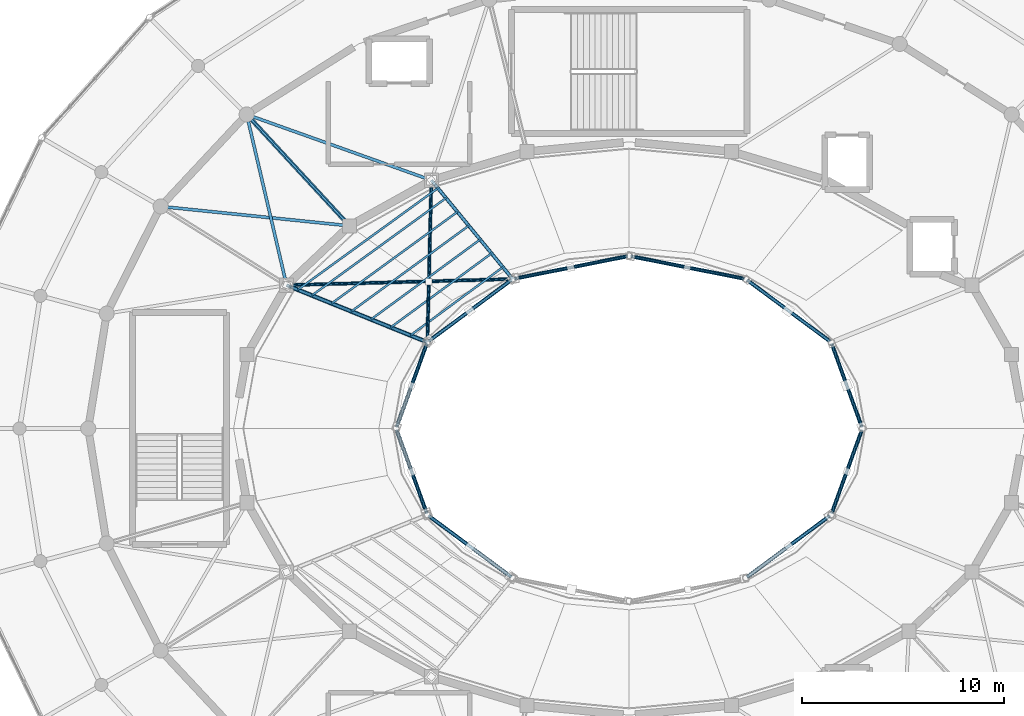
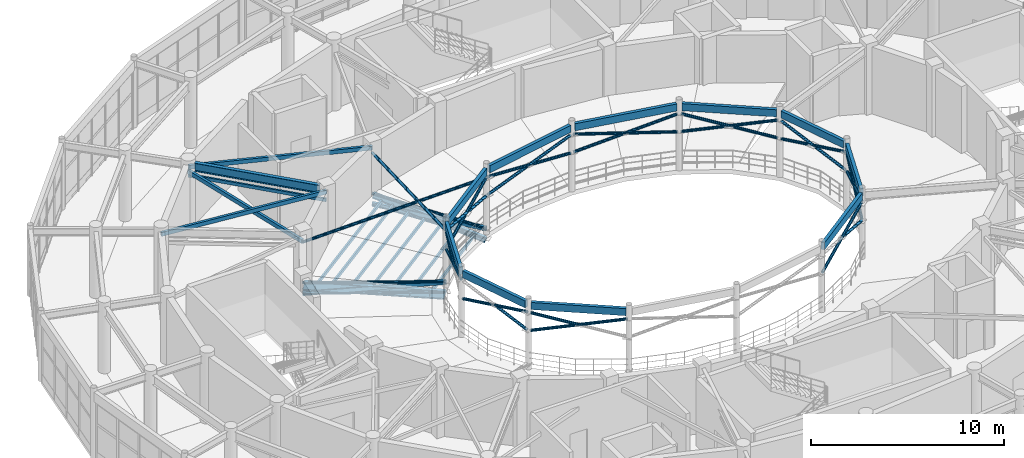
# One storey, part 45 of 112: 46 members, 13 beams.
"""IFC4 building model written with IfcOpenShell, lengths in metres."""

from ifc_helpers import new_model, si_unit, direction, frame, origin, origin_2d, place, context, subcontext, project, spatial, rectangle, hollow_rectangle, hollow_circle, i_section, extrude, material, material_profile, profile_set, type_object, element, save


model = new_model("IFC4")

# Units and contexts
model_context = context("Model", 3, precision=1e-05, world=origin(), true_north=direction((0.0, 1.0)))
body_context = subcontext(model_context, "Body", "Model", "MODEL_VIEW")
ifc_project = project(units=[si_unit("LENGTHUNIT", "METRE"), si_unit("AREAUNIT", "SQUARE_METRE"), si_unit("VOLUMEUNIT", "CUBIC_METRE"), si_unit("PLANEANGLEUNIT", "RADIAN"), si_unit("MASSUNIT", "GRAM", prefix="KILO")], contexts=[model_context])

# Site, building, storey
site_placement = place(None, origin())
site = spatial("IfcSite", under=ifc_project, at=site_placement, CompositionType="ELEMENT")
building_placement = place(site_placement, origin())
building = spatial("IfcBuilding", under=site, at=building_placement, Name="Cinderbank Siding Concert Hall", CompositionType="ELEMENT")
storey_placement = place(building_placement, frame((0.0, 0.0, 10.199951171875)))
storey = spatial("IfcBuildingStorey", under=building, at=storey_placement, Name="L03", CompositionType="ELEMENT", Elevation=10.199951171875)

# Beams
ifc_material_1 = material(Name="Structural steel AS/NZS 3679.1 Grade 350 (340 MPa)", Category="steel")
ifc_material_profile_1 = material_profile(ifc_material_1, i_section(OverallWidth=0.208984375, OverallDepth=0.532958984375, WebThickness=0.01025390625, FlangeThickness=0.015625, at=origin_2d()), Name="530UB92.4", Category="LoadBearing")
ifc_profile_set_1 = profile_set([ifc_material_profile_1], Name="Structural steel AS/NZS 3679.1 Grade 350 (340 MPa)")
beam_type_1 = type_object("IfcBeamType", Name="BM-UB530H 530UB92.4", PredefinedType="BEAM", material=ifc_profile_set_1)
beam_1_placement = place(storey_placement, frame((111.951171875, 48.293701171875, -0.50146484375), z_axis=(-0.912895387141, 0.369940358119, 0.172528674635), x_axis=(-0.375572253485, -0.926793117374, 0.0)))
element("IfcBeam", 1, at=beam_1_placement, inside=storey, type_object=beam_type_1, Name="L03 Beam BM-UB530H #105", PredefinedType="BEAM", context=body_context, shape_type="SweptSolid", body=[
    extrude(i_section(OverallWidth=0.208984375, OverallDepth=0.532958984375, WebThickness=0.01025390625, FlangeThickness=0.015625, at=origin_2d()), origin(), (0.0, 0.0, 1.0), 7.53515625),
])
beam_2_placement = place(storey_placement, frame((107.90869140625, 54.292236328125, 3.985595703125), z_axis=(-0.67829203735, 0.734792427879, 0.0), x_axis=(-0.734792427879, -0.67829203735, 0.0)))
element("IfcBeam", 2, at=beam_2_placement, inside=storey, type_object=beam_type_1, Name="L03 Beam BM-UB530H #595", PredefinedType="BEAM", context=body_context, shape_type="SweptSolid", body=[
    extrude(i_section(OverallWidth=0.208984375, OverallDepth=0.532958984375, WebThickness=0.01025390625, FlangeThickness=0.015625, at=origin_2d()), origin(), (0.0, 0.0, 1.0), 6.797119140625),
])

# Members
ifc_material_2 = material(Name="Structural steel hollow section AS/NZS 1163 Grade C350L0 (350 MPa)", Category="steel")
ifc_material_profile_2 = material_profile(ifc_material_2, hollow_circle(Radius=0.084228515625, WallThickness=0.007080078125, at=origin_2d()), Name="168.3x7.1CHS", Category="LoadBearing")
ifc_profile_set_2 = profile_set([ifc_material_profile_2], Name="Structural steel hollow section AS/NZS 1163 Grade C350L0 (350 MPa)")
member_type_1 = type_object("IfcMemberType", Name="BR-CHS168 168.3x7.1CHS Roof Truss", PredefinedType="BRACE", material=ifc_profile_set_2)
member_1_placement = place(storey_placement, frame((116.22509765625, 51.404541015625, 0.300048828125), z_axis=(-0.631768152068, 0.767992800615, 0.10514780186), x_axis=(-0.772273819235, -0.635289814277, 0.0)))
element("IfcMember", 3, at=member_1_placement, inside=storey, type_object=member_type_1, Name="L03 Diagonal Brace BR-CHS168 #RKDG-BR-CHS168-L03-1945", PredefinedType="BRACE", context=body_context, shape_type="SweptSolid", body=[
    extrude(hollow_circle(Radius=0.084228515625, WallThickness=0.007080078125, at=origin_2d()), origin(), (0.0, 0.0, 1.0), 6.371337890625),
])
member_2_placement = place(storey_placement, frame((112.199951171875, 56.297607421875, 0.300048828125), z_axis=(0.632173529582, -0.768485587425, -0.0989268943), x_axis=(0.772273819235, 0.635289814277, 0.0)))
element("IfcMember", 4, at=member_2_placement, inside=storey, type_object=member_type_1, Name="L03 Diagonal Brace BR-CHS168 #RKDG-BR-CHS168-L03-1946", PredefinedType="BRACE", context=body_context, shape_type="SweptSolid", body=[
    extrude(hollow_circle(Radius=0.084228515625, WallThickness=0.007080078125, at=origin_2d()), origin(), (0.0, 0.0, 1.0), 6.3671875),
])
member_3_placement = place(storey_placement, frame((111.997314453125, 48.27490234375, 0.300048828125), z_axis=(-0.923134660568, 0.374103109511, 0.088708860396), x_axis=(-0.375583811967, -0.926788433349, 0.0)))
element("IfcMember", 5, at=member_3_placement, inside=storey, type_object=member_type_1, Name="L03 Diagonal Brace BR-CHS168 #RKDG-BR-CHS168-L03-1948", PredefinedType="BRACE", context=body_context, shape_type="SweptSolid", body=[
    extrude(hollow_circle(Radius=0.084228515625, WallThickness=0.007080078125, at=origin_2d()), origin(), (0.0, 0.0, 1.0), 7.552001953125),
])
member_4_placement = place(storey_placement, frame((105.02587890625, 51.10009765625, 0.300048828125), z_axis=(0.923556143602, -0.374273916784, -0.0834451007), x_axis=(0.375583811967, 0.926788433349, 0.0)))
element("IfcMember", 6, at=member_4_placement, inside=storey, type_object=member_type_1, Name="L03 Diagonal Brace BR-CHS168 #RKDG-BR-CHS168-L03-1949", PredefinedType="BRACE", context=body_context, shape_type="SweptSolid", body=[
    extrude(hollow_circle(Radius=0.084228515625, WallThickness=0.007080078125, at=origin_2d()), origin(), (0.0, 0.0, 1.0), 7.548583984375),
])
member_5_placement = place(storey_placement, frame((133.522705078125, 44.0751953125, 2.400146484375), z_axis=(-0.329411541196, 0.910070086175, 0.251516350914), x_axis=(-0.940297792876, -0.340352847368, 0.0)))
element("IfcMember", 7, at=member_5_placement, inside=storey, type_object=member_type_1, Name="L03 Diagonal Brace BR-CHS168 #RKCR-BR-CHS168-L03-2072", PredefinedType="BRACE", context=body_context, shape_type="SweptSolid", body=[
    extrude(hollow_circle(Radius=0.084228515625, WallThickness=0.007080078125, at=origin_2d()), origin(), (0.0, 0.0, 1.0), 4.531982421875),
])
for number, where, z_axis, x_axis, name in (
    (8, (132.02978515625, 48.19970703125, 2.400146484375), (0.329486189755, -0.910045628123, 0.25150706848), (0.94027017902, 0.340429126905, 0.0), "L03 Diagonal Brace BR-CHS168 #RKCR-BR-CHS168-L03-2073"),
    (9, (132.78125, 46.123779296875, 2.973876953125), (0.329389503602, -0.91007814446, 0.25151605494), (0.94030604409, 0.340330050757, 0.0), "L03 Diagonal Brace BR-CHS168 #RKCR-BR-CHS168-L03-2073-S190"),
):
    element("IfcMember", number, at=place(storey_placement, frame(where, z_axis=z_axis, x_axis=x_axis)), inside=storey, type_object=member_type_1, Name=name, PredefinedType="BRACE", context=body_context, shape_type="SweptSolid", body=[
        extrude(hollow_circle(Radius=0.084228515625, WallThickness=0.007080078125, at=origin_2d()), origin(), (0.0, 0.0, 1.0), 2.2509765625),
    ])
member_6_placement = place(storey_placement, frame((131.938232421875, 48.322509765625, 2.400146484375), z_axis=(-0.784369910815, 0.580673871078, 0.218132295765), x_axis=(-0.595001989932, -0.803724226322, 0.0)))
element("IfcMember", 10, at=member_6_placement, inside=storey, type_object=member_type_1, Name="L03 Diagonal Brace BR-CHS168 #RKCR-BR-CHS168-L03-2074", PredefinedType="BRACE", context=body_context, shape_type="SweptSolid", body=[
    extrude(hollow_circle(Radius=0.084228515625, WallThickness=0.007080078125, at=origin_2d()), origin(), (0.0, 0.0, 1.0), 5.2255859375),
])
for number, where, z_axis, x_axis, name in (
    (11, (127.83935546875, 51.35693359375, 2.400146484375), (0.784352777564, -0.580699234671, 0.218126383504), (0.595027173666, 0.803705582038, 0.0), "L03 Diagonal Brace BR-CHS168 #RKCR-BR-CHS168-L03-2075"),
    (12, (129.900634765625, 49.8310546875, 2.973388671875), (0.784352777564, -0.580699234671, 0.218126383504), (0.595027173666, 0.803705582038, 0.0), "L03 Diagonal Brace BR-CHS168 #RKCR-BR-CHS168-L03-2075-S191"),
):
    element("IfcMember", number, at=place(storey_placement, frame(where, z_axis=z_axis, x_axis=x_axis)), inside=storey, type_object=member_type_1, Name=name, PredefinedType="BRACE", context=body_context, shape_type="SweptSolid", body=[
        extrude(hollow_circle(Radius=0.084228515625, WallThickness=0.007080078125, at=origin_2d()), origin(), (0.0, 0.0, 1.0), 2.597900390625),
    ])
member_7_placement = place(storey_placement, frame((127.696533203125, 51.420166015625, 2.400146484375), z_axis=(-0.962024071577, 0.190807781612, 0.195197531189), x_axis=(-0.194550158365, -0.980892571019, 0.0)))
element("IfcMember", 13, at=member_7_placement, inside=storey, type_object=member_type_1, Name="L03 Diagonal Brace BR-CHS168 #RKCR-BR-CHS168-L03-2076", PredefinedType="BRACE", context=body_context, shape_type="SweptSolid", body=[
    extrude(hollow_circle(Radius=0.084228515625, WallThickness=0.007080078125, at=origin_2d()), origin(), (0.0, 0.0, 1.0), 5.839599609375),
])
member_8_placement = place(storey_placement, frame((122.07861328125, 52.534423828125, 2.400146484375), z_axis=(0.962018451096, -0.1908740086, 0.195160479071), x_axis=(0.194616221116, 0.980879465826, 0.0)))
element("IfcMember", 14, at=member_8_placement, inside=storey, type_object=member_type_1, Name="L03 Diagonal Brace BR-CHS168 #RKCR-BR-CHS168-L03-2077", PredefinedType="BRACE", context=body_context, shape_type="SweptSolid", body=[
    extrude(hollow_circle(Radius=0.084228515625, WallThickness=0.007080078125, at=origin_2d()), origin(), (0.0, 0.0, 1.0), 2.90478515625),
])
member_9_placement = place(storey_placement, frame((124.90185546875, 51.974365234375, 2.972900390625), z_axis=(0.96202436034, -0.190774464748, 0.195228670313), x_axis=(0.194517417313, 0.980899064309, 0.0)))
element("IfcMember", 15, at=member_9_placement, inside=storey, type_object=member_type_1, Name="L03 Diagonal Brace BR-CHS168 #RKCR-BR-CHS168-L03-2077-S192", PredefinedType="BRACE", context=body_context, shape_type="SweptSolid", body=[
    extrude(hollow_circle(Radius=0.084228515625, WallThickness=0.007080078125, at=origin_2d()), origin(), (0.0, 0.0, 1.0), 2.905029296875),
])
member_10_placement = place(storey_placement, frame((121.92138671875, 52.534423828125, 2.400146484375), z_axis=(-0.962024071577, -0.190807781612, 0.195197531189), x_axis=(0.194550158365, -0.980892571019, 0.0)))
element("IfcMember", 16, at=member_10_placement, inside=storey, type_object=member_type_1, Name="L03 Diagonal Brace BR-CHS168 #RKCR-BR-CHS168-L03-2078", PredefinedType="BRACE", context=body_context, shape_type="SweptSolid", body=[
    extrude(hollow_circle(Radius=0.084228515625, WallThickness=0.007080078125, at=origin_2d()), origin(), (0.0, 0.0, 1.0), 5.839599609375),
])
member_11_placement = place(storey_placement, frame((116.303466796875, 51.420166015625, 2.400146484375), z_axis=(0.962040141585, 0.190777594252, 0.195147829891), x_axis=(-0.194517417313, 0.980899064309, 0.0)))
element("IfcMember", 17, at=member_11_placement, inside=storey, type_object=member_type_1, Name="L03 Diagonal Brace BR-CHS168 #RKCR-BR-CHS168-L03-2079", PredefinedType="BRACE", context=body_context, shape_type="SweptSolid", body=[
    extrude(hollow_circle(Radius=0.084228515625, WallThickness=0.007080078125, at=origin_2d()), origin(), (0.0, 0.0, 1.0), 2.905029296875),
])
member_12_placement = place(storey_placement, frame((119.126953125, 51.97998046875, 2.972900390625), z_axis=(0.962002668162, 0.190870877109, 0.195241324318), x_axis=(-0.194616221116, 0.980879465826, 0.0)))
element("IfcMember", 18, at=member_12_placement, inside=storey, type_object=member_type_1, Name="L03 Diagonal Brace BR-CHS168 #RKCR-BR-CHS168-L03-2079-S193", PredefinedType="BRACE", context=body_context, shape_type="SweptSolid", body=[
    extrude(hollow_circle(Radius=0.084228515625, WallThickness=0.007080078125, at=origin_2d()), origin(), (0.0, 0.0, 1.0), 2.90478515625),
])
member_13_placement = place(storey_placement, frame((116.16064453125, 51.35693359375, 2.400146484375), z_axis=(-0.784369910815, -0.580673871078, 0.218132295765), x_axis=(0.595001989932, -0.803724226322, 0.0)))
element("IfcMember", 19, at=member_13_placement, inside=storey, type_object=member_type_1, Name="L03 Diagonal Brace BR-CHS168 #RKCR-BR-CHS168-L03-2080", PredefinedType="BRACE", context=body_context, shape_type="SweptSolid", body=[
    extrude(hollow_circle(Radius=0.084228515625, WallThickness=0.007080078125, at=origin_2d()), origin(), (0.0, 0.0, 1.0), 5.2255859375),
])
for number, where, z_axis, x_axis, name in (
    (20, (112.061767578125, 48.322509765625, 2.400146484375), (0.784352777564, 0.580699234671, 0.218126383504), (-0.595027173666, 0.803705582038, 0.0), "L03 Diagonal Brace BR-CHS168 #RKCR-BR-CHS168-L03-2081"),
    (21, (114.123046875, 49.848388671875, 2.973388671875), (0.784352777564, 0.580699234671, 0.218126383504), (-0.595027173666, 0.803705582038, 0.0), "L03 Diagonal Brace BR-CHS168 #RKCR-BR-CHS168-L03-2081-S194"),
):
    element("IfcMember", number, at=place(storey_placement, frame(where, z_axis=z_axis, x_axis=x_axis)), inside=storey, type_object=member_type_1, Name=name, PredefinedType="BRACE", context=body_context, shape_type="SweptSolid", body=[
        extrude(hollow_circle(Radius=0.084228515625, WallThickness=0.007080078125, at=origin_2d()), origin(), (0.0, 0.0, 1.0), 2.597900390625),
    ])
member_14_placement = place(storey_placement, frame((116.22509765625, 51.404541015625, 3.5400390625), z_axis=(-0.999630710519, -0.02717430014, 0.0), x_axis=(0.02717430014, -0.999630710519, 0.0)))
element("IfcMember", 22, at=member_14_placement, inside=storey, type_object=member_type_1, Name="L03 Diagonal Brace BR-CHS168 #RKHN-BR-CHS168-L03-2082", PredefinedType="BRACE", context=body_context, shape_type="SweptSolid", body=[
    extrude(hollow_circle(Radius=0.084228515625, WallThickness=0.007080078125, at=origin_2d()), origin(), (0.0, 0.0, 1.0), 11.203369140625),
])
member_15_placement = place(storey_placement, frame((111.997314453125, 48.27490234375, 3.5400390625), z_axis=(0.025286746999, 0.99968023909, 0.0), x_axis=(-0.99968023909, 0.025286746999, 0.0)))
element("IfcMember", 23, at=member_15_placement, inside=storey, type_object=member_type_1, Name="L03 Diagonal Brace BR-CHS168 #RKHN-BR-CHS168-L03-2083", PredefinedType="BRACE", context=body_context, shape_type="SweptSolid", body=[
    extrude(hollow_circle(Radius=0.084228515625, WallThickness=0.007080078125, at=origin_2d()), origin(), (0.0, 0.0, 1.0), 3.002685546875),
])
member_16_placement = place(storey_placement, frame((112.073974609375, 51.306640625, 3.5400390625), z_axis=(0.02523287706, 0.999681600268, 0.0), x_axis=(-0.999681600268, 0.02523287706, 0.0)))
element("IfcMember", 24, at=member_16_placement, inside=storey, type_object=member_type_1, Name="L03 Diagonal Brace BR-CHS168 #RKHN-BR-CHS168-L03-2083-S195", PredefinedType="BRACE", context=body_context, shape_type="SweptSolid", body=[
    extrude(hollow_circle(Radius=0.084228515625, WallThickness=0.007080078125, at=origin_2d()), origin(), (0.0, 0.0, 1.0), 4.99267578125),
])
member_17_placement = place(storey_placement, frame((111.97021484375, 48.19970703125, 2.400146484375), z_axis=(-0.329411541196, -0.910070086175, 0.251516350914), x_axis=(0.940297792876, -0.340352847368, 0.0)))
element("IfcMember", 25, at=member_17_placement, inside=storey, type_object=member_type_1, Name="L03 Diagonal Brace BR-CHS168 #RKCR-BR-CHS168-L03-2084", PredefinedType="BRACE", context=body_context, shape_type="SweptSolid", body=[
    extrude(hollow_circle(Radius=0.084228515625, WallThickness=0.007080078125, at=origin_2d()), origin(), (0.0, 0.0, 1.0), 4.531982421875),
])
member_18_placement = place(storey_placement, frame((111.228515625, 46.151123046875, 2.973876953125), z_axis=(0.329486189755, 0.910045628123, 0.25150706848), x_axis=(-0.94027017902, 0.340429126905, 0.0)))
element("IfcMember", 26, at=member_18_placement, inside=storey, type_object=member_type_1, Name="L03 Diagonal Brace BR-CHS168 #RKCR-BR-CHS168-L03-2085-S196", PredefinedType="BRACE", context=body_context, shape_type="SweptSolid", body=[
    extrude(hollow_circle(Radius=0.084228515625, WallThickness=0.007080078125, at=origin_2d()), origin(), (0.0, 0.0, 1.0), 2.2509765625),
])
member_19_placement = place(storey_placement, frame((110.477294921875, 43.9248046875, 2.400146484375), z_axis=(0.329411541196, -0.910070086175, 0.251516350914), x_axis=(0.940297792876, 0.340352847368, 0.0)))
element("IfcMember", 27, at=member_19_placement, inside=storey, type_object=member_type_1, Name="L03 Diagonal Brace BR-CHS168 #RKCR-BR-CHS168-L03-2086", PredefinedType="BRACE", context=body_context, shape_type="SweptSolid", body=[
    extrude(hollow_circle(Radius=0.084228515625, WallThickness=0.007080078125, at=origin_2d()), origin(), (0.0, 0.0, 1.0), 4.531982421875),
])
member_20_placement = place(storey_placement, frame((111.97021484375, 39.80029296875, 2.400146484375), z_axis=(-0.329486189755, 0.910045628123, 0.25150706848), x_axis=(-0.94027017902, -0.340429126905, 0.0)))
element("IfcMember", 28, at=member_20_placement, inside=storey, type_object=member_type_1, Name="L03 Diagonal Brace BR-CHS168 #RKCR-BR-CHS168-L03-2087", PredefinedType="BRACE", context=body_context, shape_type="SweptSolid", body=[
    extrude(hollow_circle(Radius=0.084228515625, WallThickness=0.007080078125, at=origin_2d()), origin(), (0.0, 0.0, 1.0), 2.2509765625),
])
member_21_placement = place(storey_placement, frame((112.061767578125, 39.677490234375, 2.400146484375), z_axis=(0.784369910815, -0.580673871078, 0.218132295765), x_axis=(0.595001989932, 0.803724226322, 0.0)))
element("IfcMember", 29, at=member_21_placement, inside=storey, type_object=member_type_1, Name="L03 Diagonal Brace BR-CHS168 #RKCR-BR-CHS168-L03-2088", PredefinedType="BRACE", context=body_context, shape_type="SweptSolid", body=[
    extrude(hollow_circle(Radius=0.084228515625, WallThickness=0.007080078125, at=origin_2d()), origin(), (0.0, 0.0, 1.0), 5.2255859375),
])
member_22_placement = place(storey_placement, frame((114.099365234375, 38.1689453125, 2.973388671875), z_axis=(-0.784352777564, 0.580699234671, 0.218126383504), x_axis=(-0.595027173666, -0.803705582038, 0.0)))
element("IfcMember", 30, at=member_22_placement, inside=storey, type_object=member_type_1, Name="L03 Diagonal Brace BR-CHS168 #RKCR-BR-CHS168-L03-2089-S198", PredefinedType="BRACE", context=body_context, shape_type="SweptSolid", body=[
    extrude(hollow_circle(Radius=0.084228515625, WallThickness=0.007080078125, at=origin_2d()), origin(), (0.0, 0.0, 1.0), 2.597900390625),
])
member_23_placement = place(storey_placement, frame((127.83935546875, 36.64306640625, 2.400146484375), z_axis=(0.784369910815, 0.580673871078, 0.218132295765), x_axis=(-0.595001989932, 0.803724226322, 0.0)))
element("IfcMember", 31, at=member_23_placement, inside=storey, type_object=member_type_1, Name="L03 Diagonal Brace BR-CHS168 #RKCR-BR-CHS168-L03-2094", PredefinedType="BRACE", context=body_context, shape_type="SweptSolid", body=[
    extrude(hollow_circle(Radius=0.084228515625, WallThickness=0.007080078125, at=origin_2d()), origin(), (0.0, 0.0, 1.0), 5.2255859375),
])
member_24_placement = place(storey_placement, frame((131.938232421875, 39.677490234375, 2.400146484375), z_axis=(-0.784352777564, -0.580699234671, 0.218126383504), x_axis=(0.595027173666, -0.803705582038, 0.0)))
element("IfcMember", 32, at=member_24_placement, inside=storey, type_object=member_type_1, Name="L03 Diagonal Brace BR-CHS168 #RKCR-BR-CHS168-L03-2095", PredefinedType="BRACE", context=body_context, shape_type="SweptSolid", body=[
    extrude(hollow_circle(Radius=0.084228515625, WallThickness=0.007080078125, at=origin_2d()), origin(), (0.0, 0.0, 1.0), 2.597900390625),
])
member_25_placement = place(storey_placement, frame((132.02978515625, 39.80029296875, 2.400146484375), z_axis=(0.329411541196, 0.910070086175, 0.251516350914), x_axis=(-0.940297792876, 0.340352847368, 0.0)))
element("IfcMember", 33, at=member_25_placement, inside=storey, type_object=member_type_1, Name="L03 Diagonal Brace BR-CHS168 #RKCR-BR-CHS168-L03-2096", PredefinedType="BRACE", context=body_context, shape_type="SweptSolid", body=[
    extrude(hollow_circle(Radius=0.084228515625, WallThickness=0.007080078125, at=origin_2d()), origin(), (0.0, 0.0, 1.0), 4.531982421875),
])
for number, where, z_axis, x_axis, name in (
    (34, (133.522705078125, 43.9248046875, 2.400146484375), (-0.329389503602, -0.91007814446, 0.25151605494), (0.94030604409, -0.340330050757, 0.0), "L03 Diagonal Brace BR-CHS168 #RKCR-BR-CHS168-L03-2097"),
    (35, (132.771484375, 41.848876953125, 2.973876953125), (-0.329486189755, -0.910045628123, 0.25150706848), (0.94027017902, -0.340429126905, 0.0), "L03 Diagonal Brace BR-CHS168 #RKCR-BR-CHS168-L03-2097-S202"),
):
    element("IfcMember", number, at=place(storey_placement, frame(where, z_axis=z_axis, x_axis=x_axis)), inside=storey, type_object=member_type_1, Name=name, PredefinedType="BRACE", context=body_context, shape_type="SweptSolid", body=[
        extrude(hollow_circle(Radius=0.084228515625, WallThickness=0.007080078125, at=origin_2d()), origin(), (0.0, 0.0, 1.0), 2.2509765625),
    ])

# Beam
ifc_material_profile_3 = material_profile(ifc_material_1, i_section(OverallWidth=0.172119140625, OverallDepth=0.358642578125, WebThickness=0.008056640625, FlangeThickness=0.012939453125, at=origin_2d()), Name="360UB56.7", Category="LoadBearing")
ifc_profile_set_3 = profile_set([ifc_material_profile_3], Name="Structural steel AS/NZS 3679.1 Grade 350 (340 MPa)")
beam_type_2 = type_object("IfcBeamType", Name="JS-UB360H 360UB56.7", PredefinedType="JOIST", material=ifc_profile_set_3)
beam_3_placement = place(storey_placement, frame((116.193115234375, 51.443115234375, -0.414306640625), z_axis=(-0.621894107482, 0.756038651805, 0.204091342434), x_axis=(-0.772294012286, -0.635265266316, 0.0)))
element("IfcBeam", 36, at=beam_3_placement, inside=storey, type_object=beam_type_2, Name="L03 Beam JS-UB360H #104", PredefinedType="JOIST", context=body_context, shape_type="SweptSolid", body=[
    extrude(i_section(OverallWidth=0.172119140625, OverallDepth=0.358642578125, WebThickness=0.008056640625, FlangeThickness=0.012939453125, at=origin_2d()), origin(), (0.0, 0.0, 1.0), 6.369873046875),
])

# Members
ifc_material_profile_4 = material_profile(ifc_material_2, hollow_rectangle(XDim=0.10009765625, YDim=0.199951171875, WallThickness=0.008056640625, at=origin_2d()), Name="200x100x8.0RHS", Category="LoadBearing")
ifc_profile_set_4 = profile_set([ifc_material_profile_4], Name="Structural steel hollow section AS/NZS 1163 Grade C350L0 (350 MPa)")
member_type_2 = type_object("IfcMemberType", Name="PR-RHS200 200x100x8.0RHS Roof Truss", PredefinedType="PURLIN", material=ifc_profile_set_4)
member_26_placement = place(storey_placement, frame((115.741943359375, 51.99169921875, -0.44384765625), z_axis=(-0.804873593743, -0.593446289141, 0.0), x_axis=(0.593446289141, -0.804873593743, 0.0)))
element("IfcMember", 37, at=member_26_placement, inside=storey, type_object=member_type_2, Name="L03 Roof Truss Member PR-RHS200 #1984", PredefinedType="PURLIN", context=body_context, shape_type="SweptSolid", body=[
    extrude(hollow_rectangle(XDim=0.10009765625, YDim=0.199951171875, WallThickness=0.008056640625, at=origin_2d()), origin(), (0.0, 0.0, 1.0), 5.691650390625),
])
member_27_placement = place(storey_placement, frame((115.178466796875, 52.6767578125, -0.261962890625), z_axis=(-0.806002667019, -0.591911902869, 0.0), x_axis=(0.591911902869, -0.806002667019, 0.0)))
element("IfcMember", 38, at=member_27_placement, inside=storey, type_object=member_type_2, Name="L03 Roof Truss Member PR-RHS200 #1985", PredefinedType="PURLIN", context=body_context, shape_type="SweptSolid", body=[
    extrude(hollow_rectangle(XDim=0.10009765625, YDim=0.199951171875, WallThickness=0.008056640625, at=origin_2d()), origin(), (0.0, 0.0, 1.0), 6.195556640625),
])
member_28_placement = place(storey_placement, frame((114.614990234375, 53.36181640625, -0.079833984375), z_axis=(-0.806959583064, -0.590606663779, 0.0), x_axis=(0.590606663779, -0.806959583064, 0.0)))
element("IfcMember", 39, at=member_28_placement, inside=storey, type_object=member_type_2, Name="L03 Roof Truss Member PR-RHS200 #1986", PredefinedType="PURLIN", context=body_context, shape_type="SweptSolid", body=[
    extrude(hollow_rectangle(XDim=0.10009765625, YDim=0.199951171875, WallThickness=0.008056640625, at=origin_2d()), origin(), (0.0, 0.0, 1.0), 6.699462890625),
])
member_29_placement = place(storey_placement, frame((114.051513671875, 54.046875, 0.10205078125), z_axis=(-0.807769138252, -0.589498956137, 0.0), x_axis=(0.589498956137, -0.807769138252, 0.0)))
element("IfcMember", 40, at=member_29_placement, inside=storey, type_object=member_type_2, Name="L03 Roof Truss Member PR-RHS200 #1987", PredefinedType="PURLIN", context=body_context, shape_type="SweptSolid", body=[
    extrude(hollow_rectangle(XDim=0.10009765625, YDim=0.199951171875, WallThickness=0.008056640625, at=origin_2d()), origin(), (0.0, 0.0, 1.0), 7.203369140625),
])
member_30_placement = place(storey_placement, frame((113.488037109375, 54.731689453125, 0.283935546875), z_axis=(-0.808497668227, -0.588499380179, 0.0), x_axis=(0.588499380179, -0.808497668227, 0.0)))
element("IfcMember", 41, at=member_30_placement, inside=storey, type_object=member_type_2, Name="L03 Roof Truss Member PR-RHS200 #1988", PredefinedType="PURLIN", context=body_context, shape_type="SweptSolid", body=[
    extrude(hollow_rectangle(XDim=0.10009765625, YDim=0.199951171875, WallThickness=0.008056640625, at=origin_2d()), origin(), (0.0, 0.0, 1.0), 7.70703125),
])
member_31_placement = place(storey_placement, frame((112.924560546875, 55.416748046875, 0.466064453125), z_axis=(-0.80912163461, -0.587641200398, 0.0), x_axis=(0.587641200398, -0.80912163461, 0.0)))
element("IfcMember", 42, at=member_31_placement, inside=storey, type_object=member_type_2, Name="L03 Roof Truss Member PR-RHS200 #1989", PredefinedType="PURLIN", context=body_context, shape_type="SweptSolid", body=[
    extrude(hollow_rectangle(XDim=0.10009765625, YDim=0.199951171875, WallThickness=0.008056640625, at=origin_2d()), origin(), (0.0, 0.0, 1.0), 8.211181640625),
])
member_32_placement = place(storey_placement, frame((112.52197265625, 55.90625, 0.595947265625), z_axis=(-0.809508911887, -0.587107589438, 0.0), x_axis=(0.587107589438, -0.809508911887, 0.0)))
element("IfcMember", 43, at=member_32_placement, inside=storey, type_object=member_type_2, Name="L03 Roof Truss Member PR-RHS200 #1990", PredefinedType="PURLIN", context=body_context, shape_type="SweptSolid", body=[
    extrude(hollow_rectangle(XDim=0.10009765625, YDim=0.199951171875, WallThickness=0.008056640625, at=origin_2d()), origin(), (0.0, 0.0, 1.0), 8.5712890625),
])
member_33_placement = place(storey_placement, frame((108.140625, 54.041015625, 3.340087890625), z_axis=(-0.678276049894, 0.734807185689, 0.0), x_axis=(-0.734807185689, -0.678276049894, 0.0)))
element("IfcMember", 44, at=member_33_placement, inside=storey, type_object=member_type_2, Name="L03 Roof Truss Member PR-RHS200 #2248", PredefinedType="PURLIN", context=body_context, shape_type="SweptSolid", body=[
    extrude(hollow_rectangle(XDim=0.10009765625, YDim=0.199951171875, WallThickness=0.008056640625, at=origin_2d()), origin(), (0.0, 0.0, 1.0), 7.505859375),
])

# Beams
ifc_material_3 = material(Name="Spotted gum glulam timber GL18 (42 MPa)", Category="wood")
ifc_material_profile_5 = material_profile(ifc_material_3, rectangle(XDim=0.18994140625, YDim=0.449951171875, at=origin_2d()), Name="GL18-190x450", Category="LoadBearing")
ifc_profile_set_5 = profile_set([ifc_material_profile_5], Name="Spotted gum glulam timber GL18 (42 MPa)")
beam_type_3 = type_object("IfcBeamType", Name="SP-GL450 GL18-190x450", PredefinedType="SPANDREL", material=ifc_profile_set_5)
beam_4_placement = place(storey_placement, frame((133.49755859375, 44.144775390625, 4.01708984375), z_axis=(-0.340369084131, 0.940291915613, 0.0), x_axis=(-0.940291915613, -0.340369084131, 0.0)))
element("IfcBeam", 45, at=beam_4_placement, inside=storey, type_object=beam_type_3, Name="L03 Beam SP-GL450 #176", PredefinedType="SPANDREL", context=body_context, shape_type="SweptSolid", body=[
    extrude(rectangle(XDim=0.18994140625, YDim=0.449951171875, at=origin_2d()), origin(), (0.0, 0.0, 1.0), 4.238525390625),
])
beam_5_placement = place(storey_placement, frame((131.87890625, 48.36669921875, 4.01708984375), z_axis=(-0.803752781555, 0.594963415801, 0.0), x_axis=(-0.594963415801, -0.803752781555, 0.0)))
element("IfcBeam", 46, at=beam_5_placement, inside=storey, type_object=beam_type_3, Name="L03 Beam SP-GL450 #177", PredefinedType="SPANDREL", context=body_context, shape_type="SweptSolid", body=[
    extrude(rectangle(XDim=0.18994140625, YDim=0.449951171875, at=origin_2d()), origin(), (0.0, 0.0, 1.0), 4.9521484375),
])
for number, where, z_axis, x_axis, name in (
    (47, (127.6240234375, 51.4345703125, 4.01708984375), (-0.980895780778, 0.194533974545, 0.0), (-0.194533974545, -0.980895780778, 0.0), "L03 Beam SP-GL450 #179"),
    (48, (121.84912109375, 52.52001953125, 4.01708984375), (-0.980895780778, -0.194533974545, 0.0), (0.194533974545, -0.980895780778, 0.0), "L03 Beam SP-GL450 #180"),
):
    element("IfcBeam", number, at=place(storey_placement, frame(where, z_axis=z_axis, x_axis=x_axis)), inside=storey, type_object=beam_type_3, Name=name, PredefinedType="SPANDREL", context=body_context, shape_type="SweptSolid", body=[
        extrude(rectangle(XDim=0.18994140625, YDim=0.449951171875, at=origin_2d()), origin(), (0.0, 0.0, 1.0), 5.579833984375),
    ])
beam_6_placement = place(storey_placement, frame((116.101318359375, 51.31298828125, 4.01708984375), z_axis=(-0.803752781555, -0.594963415801, 0.0), x_axis=(0.594963415801, -0.803752781555, 0.0)))
element("IfcBeam", 49, at=beam_6_placement, inside=storey, type_object=beam_type_3, Name="L03 Beam SP-GL450 #181", PredefinedType="SPANDREL", context=body_context, shape_type="SweptSolid", body=[
    extrude(rectangle(XDim=0.18994140625, YDim=0.449951171875, at=origin_2d()), origin(), (0.0, 0.0, 1.0), 4.9521484375),
])
for number, where, z_axis, x_axis, name in (
    (50, (111.945068359375, 48.130126953125, 4.01708984375), (-0.340369084131, -0.940291915613, 0.0), (0.940291915613, -0.340369084131, 0.0), "L03 Beam SP-GL450 #182"),
    (51, (110.50244140625, 43.855224609375, 4.01708984375), (0.340369084131, -0.940291915613, 0.0), (0.940291915613, 0.340369084131, 0.0), "L03 Beam SP-GL450 #183"),
):
    element("IfcBeam", number, at=place(storey_placement, frame(where, z_axis=z_axis, x_axis=x_axis)), inside=storey, type_object=beam_type_3, Name=name, PredefinedType="SPANDREL", context=body_context, shape_type="SweptSolid", body=[
        extrude(rectangle(XDim=0.18994140625, YDim=0.449951171875, at=origin_2d()), origin(), (0.0, 0.0, 1.0), 4.238525390625),
    ])
for number, where, z_axis, x_axis, name in (
    (52, (112.12109375, 39.63330078125, 4.01708984375), (0.803752781555, -0.594963415801, 0.0), (0.594963415801, 0.803752781555, 0.0), "L03 Beam SP-GL450 #184"),
    (53, (127.898681640625, 36.68701171875, 4.01708984375), (0.803752781555, 0.594963415801, 0.0), (-0.594963415801, 0.803752781555, 0.0), "L03 Beam SP-GL450 #187"),
):
    element("IfcBeam", number, at=place(storey_placement, frame(where, z_axis=z_axis, x_axis=x_axis)), inside=storey, type_object=beam_type_3, Name=name, PredefinedType="SPANDREL", context=body_context, shape_type="SweptSolid", body=[
        extrude(rectangle(XDim=0.18994140625, YDim=0.449951171875, at=origin_2d()), origin(), (0.0, 0.0, 1.0), 4.9521484375),
    ])
beam_7_placement = place(storey_placement, frame((132.054931640625, 39.869873046875, 4.01708984375), z_axis=(0.340369084131, 0.940291915613, 0.0), x_axis=(-0.940291915613, 0.340369084131, 0.0)))
element("IfcBeam", 54, at=beam_7_placement, inside=storey, type_object=beam_type_3, Name="L03 Beam SP-GL450 #188", PredefinedType="SPANDREL", context=body_context, shape_type="SweptSolid", body=[
    extrude(rectangle(XDim=0.18994140625, YDim=0.449951171875, at=origin_2d()), origin(), (0.0, 0.0, 1.0), 4.238525390625),
])

# Members
ifc_material_profile_6 = material_profile(ifc_material_2, hollow_rectangle(XDim=0.14990234375, YDim=0.25, WallThickness=0.009033203125, at=origin_2d()), Name="250x150x9.0RHS", Category="LoadBearing")
ifc_profile_set_6 = profile_set([ifc_material_profile_6], Name="Structural steel hollow section AS/NZS 1163 Grade C350L0 (350 MPa)")
member_type_3 = type_object("IfcMemberType", Name="TR-RHS250 250x150x9.0RHS Roof Truss", PredefinedType="RAFTER", material=ifc_profile_set_6)
member_34_placement = place(storey_placement, frame((116.22509765625, 51.404541015625, 0.300048828125), z_axis=(-0.635289814277, 0.772273819235, 0.0), x_axis=(-0.772273819235, -0.635289814277, 0.0)))
element("IfcMember", 55, at=member_34_placement, inside=storey, type_object=member_type_3, Name="L03 Roof Truss Member TR-RHS250 #1944", PredefinedType="RAFTER", context=body_context, shape_type="SweptSolid", body=[
    extrude(hollow_rectangle(XDim=0.14990234375, YDim=0.25, WallThickness=0.009033203125, at=origin_2d()), origin(), (0.0, 0.0, 1.0), 6.3359375),
])
member_35_placement = place(storey_placement, frame((111.997314453125, 48.27490234375, 0.300048828125), z_axis=(-0.926788433349, 0.375583811967, 0.0), x_axis=(-0.375583811967, -0.926788433349, 0.0)))
element("IfcMember", 56, at=member_35_placement, inside=storey, type_object=member_type_3, Name="L03 Roof Truss Member TR-RHS250 #1947", PredefinedType="RAFTER", context=body_context, shape_type="SweptSolid", body=[
    extrude(hollow_rectangle(XDim=0.14990234375, YDim=0.25, WallThickness=0.009033203125, at=origin_2d()), origin(), (0.0, 0.0, 1.0), 7.522216796875),
])
member_36_placement = place(storey_placement, frame((112.199951171875, 56.297607421875, 3.880126953125), z_axis=(-0.942041785809, 0.335495564487, 0.0), x_axis=(-0.335495564487, -0.942041785809, 0.0)))
element("IfcMember", 57, at=member_36_placement, inside=storey, type_object=member_type_3, Name="L03 Roof Truss Member TR-RHS250 #2245", PredefinedType="RAFTER", context=body_context, shape_type="SweptSolid", body=[
    extrude(hollow_rectangle(XDim=0.14990234375, YDim=0.25, WallThickness=0.009033203125, at=origin_2d()), origin(), (0.0, 0.0, 1.0), 9.71337890625),
])
member_37_placement = place(storey_placement, frame((108.140625, 54.041015625, 3.880126953125), z_axis=(-0.994781438611, 0.102028865499, 0.0), x_axis=(-0.102028865499, -0.994781438611, 0.0)))
element("IfcMember", 58, at=member_37_placement, inside=storey, type_object=member_type_3, Name="L03 Roof Truss Member TR-RHS250 #2246", PredefinedType="RAFTER", context=body_context, shape_type="SweptSolid", body=[
    extrude(hollow_rectangle(XDim=0.14990234375, YDim=0.25, WallThickness=0.009033203125, at=origin_2d()), origin(), (0.0, 0.0, 1.0), 9.399169921875),
])
member_38_placement = place(storey_placement, frame((105.02587890625, 51.10009765625, 3.60009765625), z_axis=(-0.227577092084, 0.973760066525, 0.0), x_axis=(-0.973760066525, -0.227577092084, 0.0)))
element("IfcMember", 59, at=member_38_placement, inside=storey, type_object=member_type_3, Name="L03 Roof Truss Member TR-RHS250 #2247", PredefinedType="RAFTER", context=body_context, shape_type="SweptSolid", body=[
    extrude(hollow_rectangle(XDim=0.14990234375, YDim=0.25, WallThickness=0.009033203125, at=origin_2d()), origin(), (0.0, 0.0, 1.0), 8.68408203125),
])

save(model, "model.ifc")
